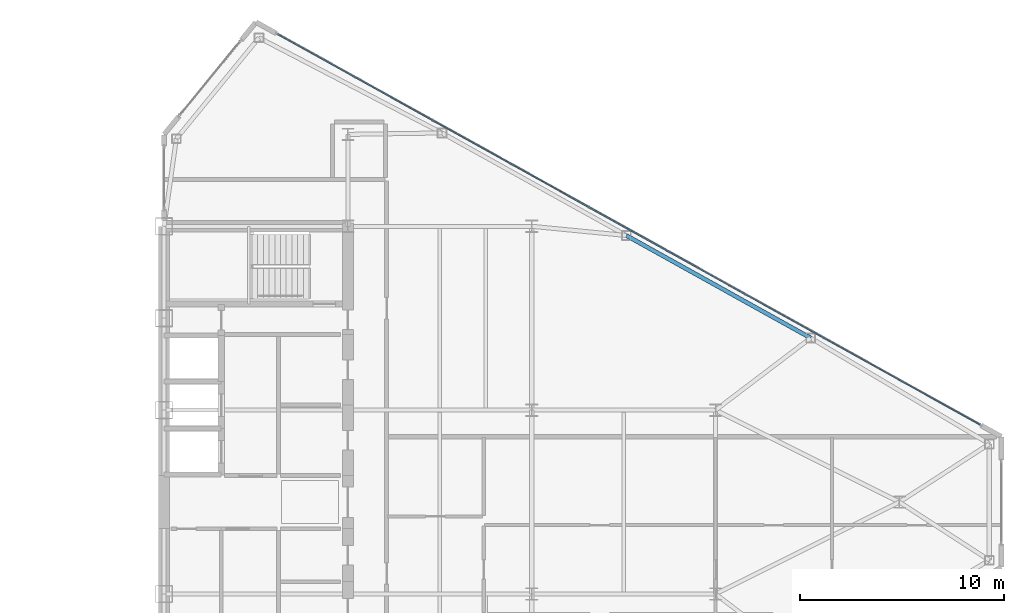
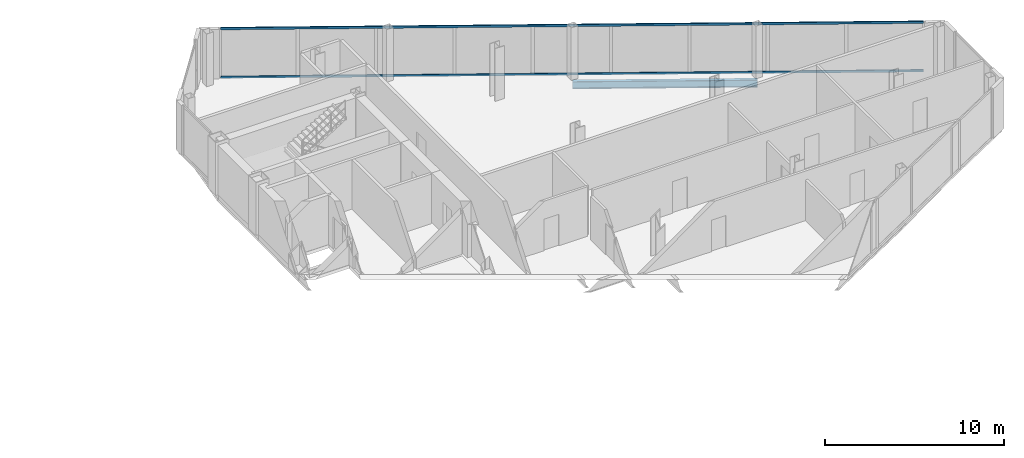
# One storey, part 16 of 26: 2 members, 1 beam, 1 element without a shape of its own.
"""IFC4 building model written with IfcOpenShell, lengths in metres."""

from ifc_helpers import new_model, si_unit, direction, frame, origin, origin_2d, place, context, subcontext, project, spatial, rectangle, i_section, extrude, source, transform, mapped, material, layer, layer_set, material_profile, profile_set, type_object, type_shapes, element, aggregate, save


model = new_model("IFC4")

# Units and contexts
model_context = context("Model", 3, precision=1e-05, world=origin(), true_north=direction((0.0, 1.0)))
body_context = subcontext(model_context, "Body", "Model", "MODEL_VIEW")
ifc_project = project(units=[si_unit("LENGTHUNIT", "METRE"), si_unit("AREAUNIT", "SQUARE_METRE"), si_unit("VOLUMEUNIT", "CUBIC_METRE"), si_unit("PLANEANGLEUNIT", "RADIAN"), si_unit("MASSUNIT", "GRAM", prefix="KILO")], contexts=[model_context])

# Site, building, storey
site_placement = place(None, origin())
site = spatial("IfcSite", under=ifc_project, at=site_placement, CompositionType="ELEMENT")
building_placement = place(site_placement, origin())
building = spatial("IfcBuilding", under=site, at=building_placement, Name="Seokmaru Belvedere", CompositionType="ELEMENT")
storey_placement = place(building_placement, frame((0.0, 0.0, 192.300048828125)))
storey = spatial("IfcBuildingStorey", under=building, at=storey_placement, Name="L51", CompositionType="ELEMENT", Elevation=192.300048828125)

# Beam
ifc_material_1 = material(Name="Steel SM355 (355 MPa)", Category="steel")
ifc_material_profile_1 = material_profile(ifc_material_1, i_section(OverallWidth=0.199951171875, OverallDepth=0.5, WebThickness=0.010009765625, FlangeThickness=0.01611328125, at=origin_2d()), Name="H-500x200x10x16")
ifc_profile_set_1 = profile_set([ifc_material_profile_1], Name="Steel SM355 (355 MPa)")
beam_type = type_object("IfcBeamType", Name="Perimeter Spandrel Beam H-500", PredefinedType="SPANDREL", material=ifc_profile_set_1)
shared_shape_1 = source(origin(), body_context, "Body", "SweptSolid", [
    extrude(i_section(OverallWidth=0.199951171875, OverallDepth=0.5, WebThickness=0.010009765625, FlangeThickness=0.01611328125, at=origin_2d()), origin(), (0.0, 0.0, 1.0), 10.327392578125),
])
type_shapes(beam_type, [shared_shape_1])
beam_placement = place(storey_placement, frame((50.129150390625, 13.051025390625, -0.469970703125), z_axis=(0.873934162361, -0.48604431882, 0.0), x_axis=(0.48604431882, 0.873934162361, 0.0)))
element("IfcBeam", 1, at=beam_placement, inside=storey, type_object=beam_type, Name="L51 E Faceted Flank Spandrel N-3", PredefinedType="SPANDREL", context=body_context, shape_type="MappedRepresentation", body=[
    mapped(shared_shape_1, transform((0.0, 0.0, 0.0), scale=1.0)),
])

# Curtain wall, members
ifc_material_2 = material(Name="Bronze Triple Insulating Glass", Category="glass")
ifc_layer = layer(ifc_material_2, 0.179931640625)
ifc_layer_set = layer_set([ifc_layer], Name="Bronze Triple Insulating Glass")
curtain_wall_type = type_object("IfcCurtainWallType", Name="High-Rise Wind-Corner Curtain Wall System CW-5", PredefinedType="NOTDEFINED", material=ifc_layer_set)
curtain_wall_placement = place(storey_placement, origin())
curtain_wall = element("IfcCurtainWall", 2, at=curtain_wall_placement, inside=storey, type_object=curtain_wall_type, Name="L51 Curtain Wall EF3", PredefinedType="NOTDEFINED")
ifc_material_3 = material(Name="Anodised Bronze Aluminium", Category="aluminium")
ifc_material_profile_2 = material_profile(ifc_material_3, rectangle(XDim=0.06494140625, YDim=0.14990234375, at=origin_2d()), Name="CW-T-65x150")
ifc_profile_set_2 = profile_set([ifc_material_profile_2], Name="Anodised Bronze Aluminium")
member_type = type_object("IfcMemberType", Name="Bronze Unitised Transom 65x150", PredefinedType="USERDEFINED", material=ifc_profile_set_2)
shared_shape_2 = source(origin(), body_context, "Body", "SweptSolid", [
    extrude(rectangle(XDim=0.06494140625, YDim=0.14990234375, at=origin_2d()), origin(), (0.0, 0.0, 1.0), 39.33544921875),
])
type_shapes(member_type, [shared_shape_2])
member_1_placement = place(storey_placement, frame((67.438232421875, 3.79052734375, 0.032470703125), z_axis=(-0.873932045133, 0.486048125693, 0.0), x_axis=(-0.486048125693, -0.873932045133, 0.0)))
member_1 = element("IfcMember", 3, at=member_1_placement, type_object=member_type, Name="CW:L51:EF3 Continuous Transom 1", ObjectType="TRANSOM", PredefinedType="USERDEFINED", context=body_context, shape_type="MappedRepresentation", body=[
    mapped(shared_shape_2, transform((0.0, 0.0, 0.0), scale=1.0)),
])
member_2_placement = place(storey_placement, frame((67.438232421875, 3.79052734375, 3.347412109375), z_axis=(-0.873932045133, 0.486048125693, 0.0), x_axis=(-0.486048125693, -0.873932045133, 0.0)))
member_2 = element("IfcMember", 4, at=member_2_placement, type_object=member_type, Name="CW:L51:EF3 Continuous Transom 2", ObjectType="TRANSOM", PredefinedType="USERDEFINED", context=body_context, shape_type="MappedRepresentation", body=[
    mapped(shared_shape_2, transform((0.0, 0.0, 0.0), scale=1.0)),
])
aggregate(curtain_wall, [member_1, member_2])

save(model, "model.ifc")
